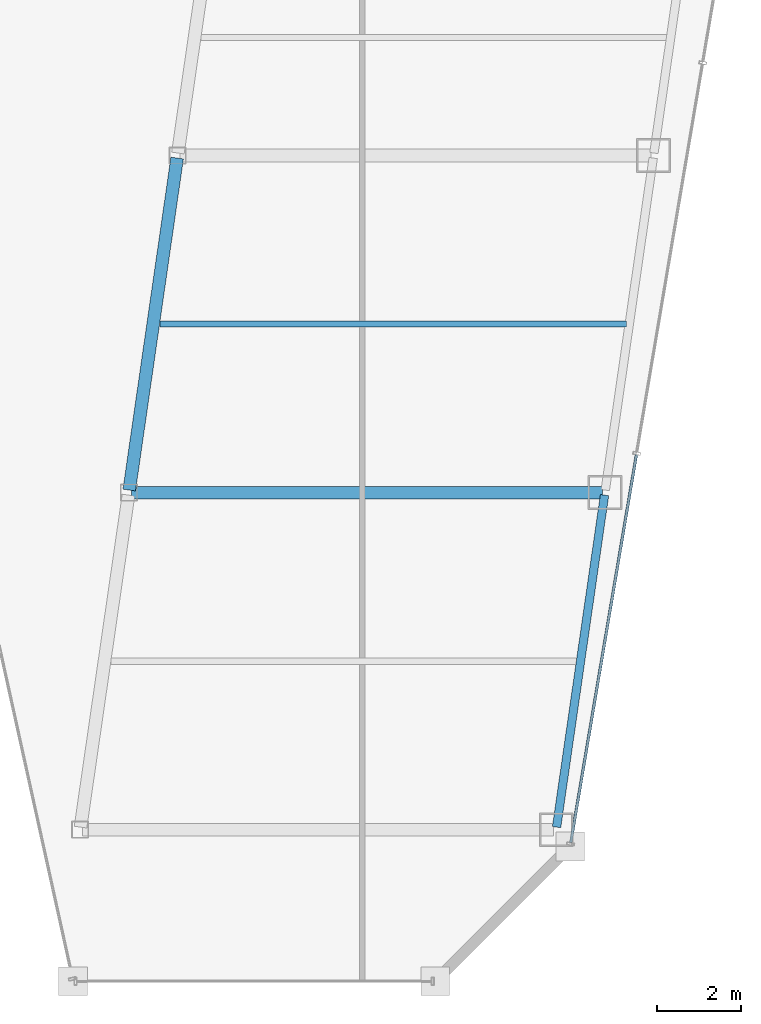
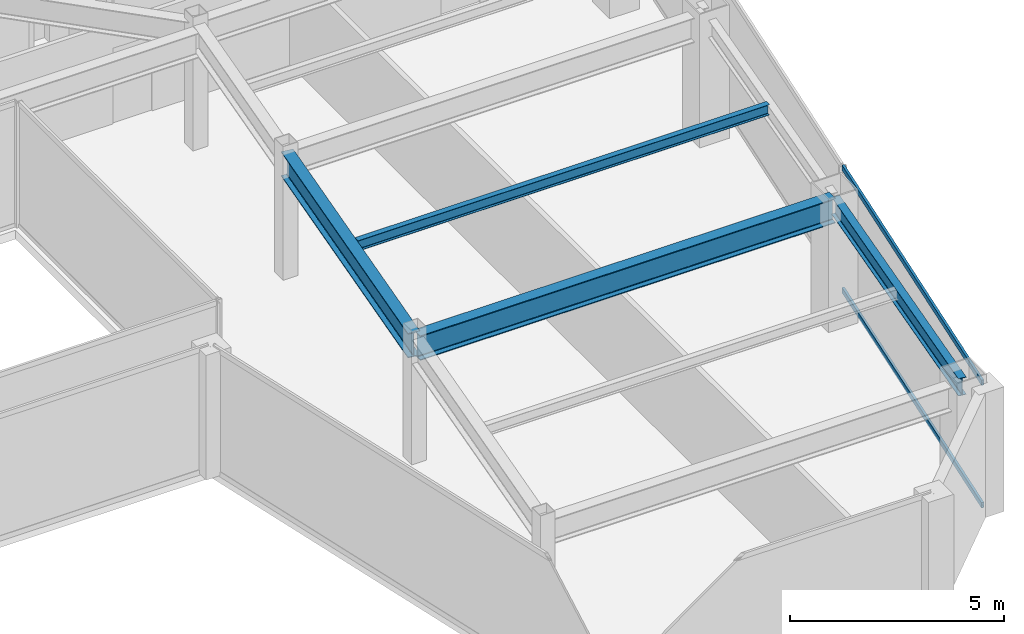
# One storey, part 19 of 35: 4 beams, 2 members, 1 element without a shape of its own.
"""IFC4 building model written with IfcOpenShell, lengths in metres."""

from ifc_helpers import new_model, si_unit, direction, frame, origin, origin_2d, place, context, subcontext, project, spatial, hollow_rectangle, i_section, extrude, material, material_profile, profile_set, type_object, element, aggregate, save


model = new_model("IFC4")

# Units and contexts
model_context = context("Model", 3, precision=1e-05, world=origin(), true_north=direction((0.0, 1.0)))
body_context = subcontext(model_context, "Body", "Model", "MODEL_VIEW")
ifc_project = project(units=[si_unit("LENGTHUNIT", "METRE"), si_unit("AREAUNIT", "SQUARE_METRE"), si_unit("VOLUMEUNIT", "CUBIC_METRE"), si_unit("PLANEANGLEUNIT", "RADIAN"), si_unit("MASSUNIT", "GRAM", prefix="KILO")], contexts=[model_context])

# Site, building, storey
site_placement = place(None, origin())
site = spatial("IfcSite", under=ifc_project, at=site_placement, CompositionType="ELEMENT")
building_placement = place(site_placement, origin())
building = spatial("IfcBuilding", under=site, at=building_placement, Name="Saevonmaru Cultural Tower", CompositionType="ELEMENT")
storey_placement = place(building_placement, frame((0.0, 0.0, 190.39990234375)))
storey = spatial("IfcBuildingStorey", under=building, at=storey_placement, Name="L43", CompositionType="ELEMENT", Elevation=190.39990234375)

# Beams
ifc_material_1 = material(Name="Steel SM355", Category="steel")
ifc_material_profile_1 = material_profile(ifc_material_1, i_section(OverallWidth=0.300048828125, OverallDepth=0.699951171875, WebThickness=0.012939453125, FlangeThickness=0.02392578125, FilletRadius=0.02587890625, at=origin_2d()), Name="H-700x300x13x24")
ifc_profile_set_1 = profile_set([ifc_material_profile_1], Name="Steel SM355")
beam_type_1 = type_object("IfcBeamType", Name="BM-G-H700", PredefinedType="BEAM", material=ifc_profile_set_1)
beam_1_placement = place(storey_placement, frame((39.236572265625, 24.059326171875, 3.2001953125), z_axis=(0.142902032203, 0.989736838353, 0.0), x_axis=(-0.989736838353, 0.142902032203, 0.0)))
element("IfcBeam", 1, at=beam_1_placement, inside=storey, type_object=beam_type_1, Name="L43 East Atrium Girder 2", PredefinedType="BEAM", context=body_context, shape_type="SweptSolid", body=[
    extrude(i_section(OverallWidth=0.300048828125, OverallDepth=0.699951171875, WebThickness=0.012939453125, FlangeThickness=0.02392578125, FilletRadius=0.02587890625, at=origin_2d()), origin(), (0.0, 0.0, 1.0), 7.963134765625),
])
beam_2_placement = place(storey_placement, frame((39.2880859375, 24.0, 3.2001953125), z_axis=(1.0, 0.0, 0.0), x_axis=(0.0, 1.0, 0.0)))
element("IfcBeam", 2, at=beam_2_placement, inside=storey, type_object=beam_type_1, Name="L43 East Wing Transverse Girder 2", PredefinedType="BEAM", context=body_context, shape_type="SweptSolid", body=[
    extrude(i_section(OverallWidth=0.300048828125, OverallDepth=0.699951171875, WebThickness=0.012939453125, FlangeThickness=0.02392578125, FilletRadius=0.02587890625, at=origin_2d()), origin(), (0.0, 0.0, 1.0), 11.179931640625),
])
ifc_material_profile_2 = material_profile(ifc_material_1, i_section(OverallWidth=0.14990234375, OverallDepth=0.300048828125, WebThickness=0.006591796875, FlangeThickness=0.009033203125, FilletRadius=0.012939453125, at=origin_2d()), Name="H-300x150x6.5x9")
ifc_profile_set_2 = profile_set([ifc_material_profile_2], Name="Steel SM355")
beam_type_2 = type_object("IfcBeamType", Name="BM-J-H300", PredefinedType="JOIST", material=ifc_profile_set_2)
beam_3_placement = place(storey_placement, frame((39.96337890625, 28.0, 3.400146484375), z_axis=(1.0, 0.0, 0.0), x_axis=(0.0, 1.0, 0.0)))
element("IfcBeam", 3, at=beam_3_placement, inside=storey, type_object=beam_type_2, Name="L43 East Wing Floor Joist 2", PredefinedType="JOIST", context=body_context, shape_type="SweptSolid", body=[
    extrude(i_section(OverallWidth=0.14990234375, OverallDepth=0.300048828125, WebThickness=0.006591796875, FlangeThickness=0.009033203125, FilletRadius=0.012939453125, at=origin_2d()), origin(), (0.0, 0.0, 1.0), 11.08203125),
])
ifc_material_profile_3 = material_profile(ifc_material_1, i_section(OverallWidth=0.199951171875, OverallDepth=0.5, WebThickness=0.010009765625, FlangeThickness=0.01611328125, FilletRadius=0.02001953125, at=origin_2d()), Name="H-500x200x10x16")
ifc_profile_set_3 = profile_set([ifc_material_profile_3], Name="Steel SM355")
beam_type_3 = type_object("IfcBeamType", Name="BM-SP-H500", PredefinedType="SPANDREL", material=ifc_profile_set_3)
beam_4_placement = place(storey_placement, frame((49.380615234375, 16.059326171875, 3.300048828125), z_axis=(0.142992129437, 0.989723825579, 0.0), x_axis=(-0.989723825579, 0.142992129437, 0.0)))
element("IfcBeam", 4, at=beam_4_placement, inside=storey, type_object=beam_type_3, Name="L43 East Splayed Spandrel 1", PredefinedType="SPANDREL", context=body_context, shape_type="SweptSolid", body=[
    extrude(i_section(OverallWidth=0.199951171875, OverallDepth=0.5, WebThickness=0.010009765625, FlangeThickness=0.01611328125, FilletRadius=0.02001953125, at=origin_2d()), origin(), (0.0, 0.0, 1.0), 7.963134765625),
])

# Curtain wall, members
ifc_material_2 = material(Name="Satin Bronze Anodised Aluminium", Category="aluminium")
curtain_wall_type = type_object("IfcCurtainWallType", Name="CW-TYP-B", PredefinedType="NOTDEFINED", material=ifc_material_2)
curtain_wall_placement = place(storey_placement, origin())
curtain_wall = element("IfcCurtainWall", 5, at=curtain_wall_placement, inside=storey, type_object=curtain_wall_type, Name="L43 Unitised Curtain Wall E8", PredefinedType="NOTDEFINED")
ifc_material_profile_4 = material_profile(ifc_material_2, hollow_rectangle(XDim=0.06494140625, YDim=0.14990234375, WallThickness=0.00390625, at=origin_2d()), Name="ALU-TRAN-150x65x4")
ifc_profile_set_4 = profile_set([ifc_material_profile_4], Name="Satin Bronze Anodised Aluminium")
member_type = type_object("IfcMemberType", Name="TR-CW-150x65", PredefinedType="USERDEFINED", material=ifc_profile_set_4)
member_1_placement = place(storey_placement, frame((49.717529296875, 15.691162109375, 0.03271484375), z_axis=(0.166921263871, 0.985970228591, 0.0), x_axis=(-0.985970228591, 0.166921263871, 0.0)))
member_1 = element("IfcMember", 6, at=member_1_placement, type_object=member_type, Name="CW-TW-L43-E8 transom 1.1", ObjectType="TRANSOM", PredefinedType="USERDEFINED", context=body_context, shape_type="SweptSolid", body=[
    extrude(hollow_rectangle(XDim=0.06494140625, YDim=0.14990234375, WallThickness=0.00390625, at=origin_2d()), origin(), (0.0, 0.0, 1.0), 9.33740234375),
])
member_2_placement = place(storey_placement, frame((49.717529296875, 15.691162109375, 3.517578125), z_axis=(0.166921263871, 0.985970228591, 0.0), x_axis=(-0.985970228591, 0.166921263871, 0.0)))
member_2 = element("IfcMember", 7, at=member_2_placement, type_object=member_type, Name="CW-TW-L43-E8 transom 1.2", ObjectType="TRANSOM", PredefinedType="USERDEFINED", context=body_context, shape_type="SweptSolid", body=[
    extrude(hollow_rectangle(XDim=0.06494140625, YDim=0.14990234375, WallThickness=0.00390625, at=origin_2d()), origin(), (0.0, 0.0, 1.0), 9.33740234375),
])
aggregate(curtain_wall, [member_1, member_2])

save(model, "model.ifc")
